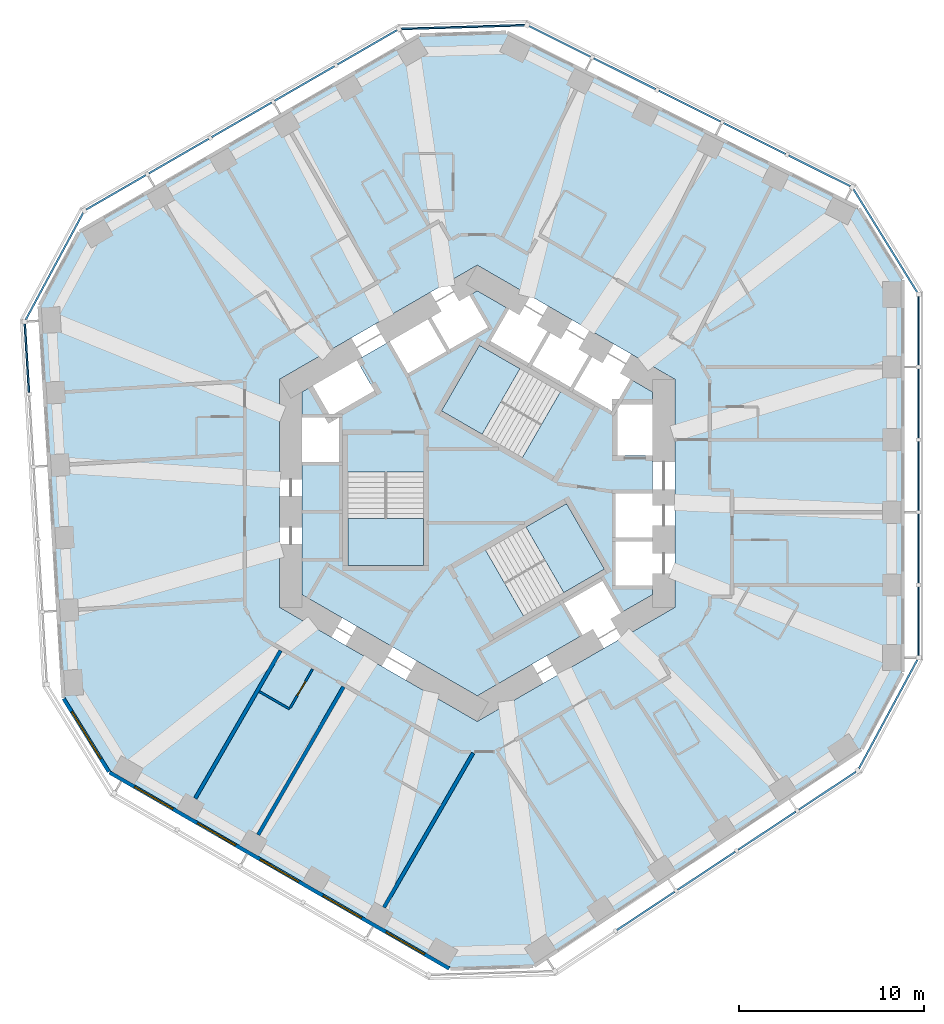
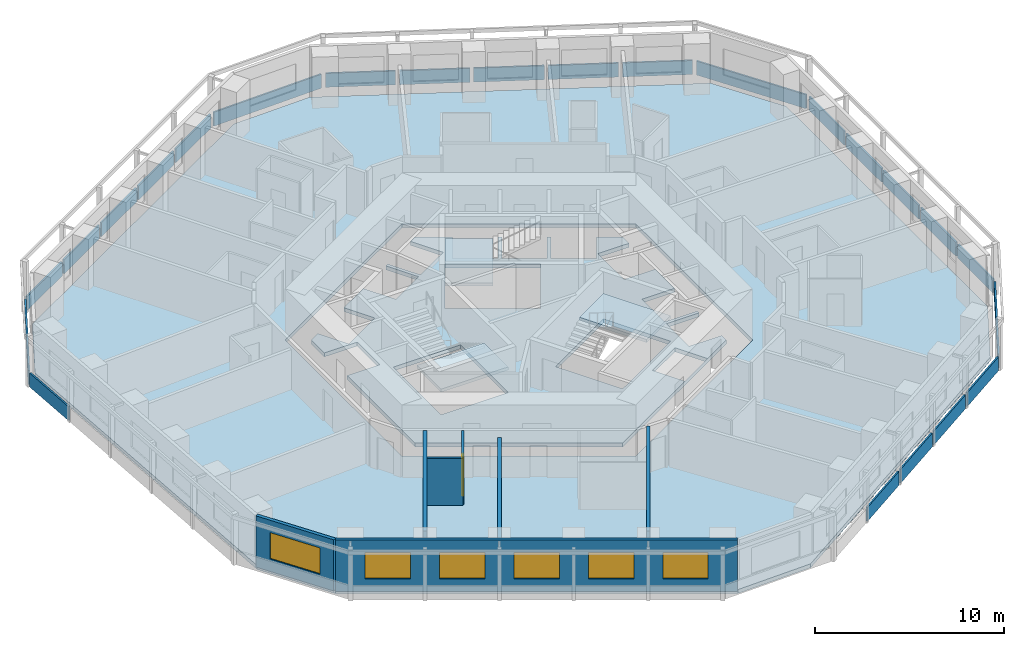
# One storey, part 3 of 12: 24 plates, 7 walls, 6 windows, 5 slabs, 1 door, 7 openings, 12 elements without a shape of their own.
"""IFC4 building model written with IfcOpenShell, lengths in metres."""

from ifc_helpers import new_model, si_unit, direction, frame, frame_2d, origin, origin_2d, place, context, subcontext, project, spatial, polyline, rectangle, outline, extrude, material, layer, layer_set, type_object, element, fill, aggregate, save


model = new_model("IFC4")

# Units and contexts
model_context = context("Model", 3, precision=1e-05, world=origin(), true_north=direction((0.0, 1.0)))
body_context = subcontext(model_context, "Body", "Model", "MODEL_VIEW")
ifc_project = project(units=[si_unit("LENGTHUNIT", "METRE"), si_unit("AREAUNIT", "SQUARE_METRE"), si_unit("VOLUMEUNIT", "CUBIC_METRE"), si_unit("PLANEANGLEUNIT", "RADIAN"), si_unit("MASSUNIT", "GRAM", prefix="KILO")], contexts=[model_context])

# Site, building, storey
site_placement = place(None, origin())
site = spatial("IfcSite", under=ifc_project, at=site_placement, CompositionType="ELEMENT")
building_placement = place(site_placement, origin())
building = spatial("IfcBuilding", under=site, at=building_placement, Name="Vanh Sen Convention Tower", CompositionType="ELEMENT")
storey_placement = place(building_placement, frame((0.0, 0.0, 83.60009765625)))
storey = spatial("IfcBuildingStorey", under=building, at=storey_placement, Name="L18", CompositionType="ELEMENT", Elevation=83.60009765625)

# Slabs
ifc_material_1 = material(Name="Concrete C40/50", Category="concrete")
ifc_layer_1 = layer(ifc_material_1, 0.25)
ifc_layer_set_1 = layer_set([ifc_layer_1], Name="Concrete C40/50")
slab_type_1 = type_object("IfcSlabType", Name="Core slab 250", PredefinedType="FLOOR", material=ifc_layer_set_1)
slab_1_placement = place(storey_placement, frame((0.0, 0.0, -0.25)))
element("IfcSlab", 1, at=slab_1_placement, inside=storey, type_object=slab_type_1, Name="Core slab L18", PredefinedType="FLOOR", context=body_context, shape_type="SweptSolid", body=[
    extrude(outline(polyline([(9.5, 5.48486328125), (9.5, 4.800048828125), (7.60009765625, 4.800048828125), (7.60009765625, 2.050048828125), (9.5, 2.050048828125), (9.5, 0.0), (7.5, 0.0), (7.5, -2.39990234375), (9.5, -2.39990234375), (9.5, -2.60009765625), (7.5, -2.60009765625), (7.5, -5.0), (9.5, -5.0), (9.5, -5.48486328125), (0.0, -10.9697265625), (-9.5, -5.48486328125), (-9.5, 1.699951171875), (-7.5, 1.699951171875), (-7.5, 4.10009765625), (-9.5, 4.10009765625), (-9.5, 5.48486328125), (-8.906982421875, 5.8271484375), (-7.956787109375, 4.181884765625), (-5.575439453125, 5.556884765625), (-6.525390625, 7.2021484375), (-4.75, 8.227294921875), (-3.75, 6.4951171875), (-1.67138671875, 7.6953125), (-2.67138671875, 9.42724609375), (-2.498291015625, 9.527099609375), (-1.498291015625, 7.795166015625), (0.580078125, 8.9951171875), (-0.419921875, 10.727294921875), (0.0, 10.9697265625), (1.718994140625, 9.977294921875), (0.718994140625, 8.2451171875), (2.79736328125, 7.045166015625), (3.79736328125, 8.777099609375), (3.970703125, 8.67724609375), (2.970703125, 6.9453125), (5.049072265625, 5.7451171875), (6.049072265625, 7.477294921875), (6.22216796875, 7.377197265625), (5.22216796875, 5.645263671875), (7.30078125, 4.4453125), (8.30078125, 6.17724609375), (9.5, 5.48486328125)]), holes=[polyline([(-7.0, 3.14990234375), (-7.0, -3.909912109375), (-2.89990234375, -3.909912109375), (-2.89990234375, 3.14990234375), (-2.89990234375, 1.1494140625), (-7.0, 1.1494140625), (-7.0, 3.14990234375)]), polyline([(4.495361328125, 5.487548828125), (6.22802734375, 4.4873046875), (0.11376953125, 8.01708984375), (-1.936279296875, 4.466552734375), (2.4453125, 1.936767578125), (4.495361328125, 5.487548828125)]), polyline([(7.781005859375, -6.477294921875), (6.781005859375, -4.7451171875), (4.70263671875, -5.9453125), (5.70263671875, -7.67724609375), (7.781005859375, -6.477294921875)]), polyline([(0.45458984375, -3.086181640625), (2.504638671875, -6.63671875), (6.88623046875, -4.107177734375), (4.836181640625, -0.556396484375), (-1.278076171875, -4.08642578125), (0.45458984375, -3.086181640625)])]), origin(), (0.0, 0.0, 1.0), 0.25),
])
ifc_layer_2 = layer(ifc_material_1, 0.25)
ifc_layer_set_2 = layer_set([ifc_layer_2], Name="Concrete C40/50")
slab_type_2 = type_object("IfcSlabType", Name="Floor slab 250 REI 120", PredefinedType="FLOOR", material=ifc_layer_set_2)
slab_2_placement = place(storey_placement, frame((0.0, 0.0, -0.25)))
element("IfcSlab", 2, at=slab_2_placement, inside=storey, type_object=slab_type_2, Name="Floor slab L18 tower", PredefinedType="FLOOR", context=body_context, shape_type="SweptSolid", body=[
    extrude(outline(polyline([(23.0, -9.69921875), (23.0, 11.57373046875), (20.620361328125, 15.419189453125), (1.58251953125, 24.911376953125), (-3.10009765625, 24.768310546875), (-21.523193359375, 14.131591796875), (-23.663818359375, 10.14794921875), (-22.364990234375, -11.085205078125), (-19.89990234375, -15.069091796875), (-1.476806640625, -25.705322265625), (3.04345703125, -25.5673828125), (20.78271484375, -13.825927734375), (23.0, -9.69921875)]), holes=[polyline([(0.0, 12.355224609375), (-10.699951171875, 6.177490234375), (-10.699951171875, -6.177490234375), (0.0, -12.355224609375), (10.699951171875, -6.177490234375), (10.699951171875, 6.177490234375), (0.0, 12.355224609375)])]), origin(), (0.0, 0.0, 1.0), 0.25),
])

# Curtain wall, plates
ifc_material_2 = material(Name="Concrete C50/60", Category="concrete")
curtain_wall_type = type_object("IfcCurtainWallType", Name="Outer skin hotel zone", PredefinedType="NOTDEFINED", material=ifc_material_2)
curtain_wall_1_placement = place(storey_placement, origin())
curtain_wall_1 = element("IfcCurtainWall", 3, at=curtain_wall_1_placement, inside=storey, type_object=curtain_wall_type, Name="OUTER SKIN E L18", PredefinedType="NOTDEFINED")
ifc_layer_3 = layer(ifc_material_2, 0.10009765625)
ifc_layer_set_3 = layer_set([ifc_layer_3], Name="Concrete C50/60")
plate_type = type_object("IfcPlateType", Name="Outer skin precast screen panel 100", PredefinedType="CURTAIN_PANEL", material=ifc_layer_set_3)
plate_1_placement = place(storey_placement, frame((23.89990234375, -6.91943359375, 0.0), z_axis=(0.0, 0.0, 1.0), x_axis=(0.0, 1.0, 0.0)))
plate_1 = element("IfcPlate", 4, at=plate_1_placement, type_object=plate_type, Name="OUTER SKIN screen panel E-1", PredefinedType="CURTAIN_PANEL", context=body_context, shape_type="SweptSolid", body=[
    extrude(rectangle(XDim=3.709716796875, YDim=0.10009765625, at=origin_2d()), origin(), (0.0, 0.0, 1.0), 0.89990234375),
])
plate_2_placement = place(storey_placement, frame((23.89990234375, -2.997314453125, 0.0), z_axis=(0.0, 0.0, 1.0), x_axis=(0.0, 1.0, 0.0)))
plate_2 = element("IfcPlate", 5, at=plate_2_placement, type_object=plate_type, Name="OUTER SKIN screen panel E-2", PredefinedType="CURTAIN_PANEL", context=body_context, shape_type="SweptSolid", body=[
    extrude(rectangle(XDim=3.734619140625, YDim=0.10009765625, at=origin_2d()), origin(), (0.0, 0.0, 1.0), 0.89990234375),
])
plate_3_placement = place(storey_placement, frame((23.89990234375, 0.937255859375, 0.0), z_axis=(0.0, 0.0, 1.0), x_axis=(0.0, 1.0, 0.0)))
plate_3 = element("IfcPlate", 6, at=plate_3_placement, type_object=plate_type, Name="OUTER SKIN screen panel E-3", PredefinedType="CURTAIN_PANEL", context=body_context, shape_type="SweptSolid", body=[
    extrude(rectangle(XDim=3.734619140625, YDim=0.10009765625, at=origin_2d()), origin(), (0.0, 0.0, 1.0), 0.89990234375),
])
plate_4_placement = place(storey_placement, frame((23.89990234375, 4.871826171875, 0.0), z_axis=(0.0, 0.0, 1.0), x_axis=(0.0, 1.0, 0.0)))
plate_4 = element("IfcPlate", 7, at=plate_4_placement, type_object=plate_type, Name="OUTER SKIN screen panel E-4", PredefinedType="CURTAIN_PANEL", context=body_context, shape_type="SweptSolid", body=[
    extrude(rectangle(XDim=3.734619140625, YDim=0.10009765625, at=origin_2d()), origin(), (0.0, 0.0, 1.0), 0.89990234375),
])
plate_5_placement = place(storey_placement, frame((23.89990234375, 8.7939453125, 0.0), z_axis=(0.0, 0.0, 1.0), x_axis=(0.0, 1.0, 0.0)))
plate_5 = element("IfcPlate", 8, at=plate_5_placement, type_object=plate_type, Name="OUTER SKIN screen panel E-5", PredefinedType="CURTAIN_PANEL", context=body_context, shape_type="SweptSolid", body=[
    extrude(rectangle(XDim=3.709716796875, YDim=0.10009765625, at=origin_2d()), origin(), (0.0, 0.0, 1.0), 0.89990234375),
])
aggregate(curtain_wall_1, [plate_1, plate_2, plate_3, plate_4, plate_5])

# Curtain wall, plate
curtain_wall_2_placement = place(storey_placement, origin())
curtain_wall_2 = element("IfcCurtainWall", 9, at=curtain_wall_2_placement, inside=storey, type_object=curtain_wall_type, Name="OUTER SKIN CH1 L18", PredefinedType="NOTDEFINED")
plate_6_placement = place(storey_placement, frame((22.102783203125, 13.677734375, 0.0), z_axis=(0.0, 0.0, 1.0), x_axis=(-0.526212439506, 0.850353143411, 0.0)))
plate_6 = element("IfcPlate", 10, at=plate_6_placement, type_object=plate_type, Name="OUTER SKIN screen panel CH1-1", PredefinedType="CURTAIN_PANEL", context=body_context, shape_type="SweptSolid", body=[
    extrude(rectangle(XDim=6.580078125, YDim=0.10009765625, at=origin_2d()), origin(), (0.0, 0.0, 1.0), 0.89990234375),
])
aggregate(curtain_wall_2, [plate_6])

# Curtain wall, plates
curtain_wall_3_placement = place(storey_placement, origin())
curtain_wall_3 = element("IfcCurtainWall", 11, at=curtain_wall_3_placement, inside=storey, type_object=curtain_wall_type, Name="OUTER SKIN NE L18", PredefinedType="NOTDEFINED")
plate_7_placement = place(storey_placement, frame((18.5341796875, 17.465087890625, 0.0), z_axis=(0.0, 0.0, 1.0), x_axis=(-0.894935140363, 0.446196251154, 0.0)))
plate_7 = element("IfcPlate", 12, at=plate_7_placement, type_object=plate_type, Name="OUTER SKIN screen panel NE-1", PredefinedType="CURTAIN_PANEL", context=body_context, shape_type="SweptSolid", body=[
    extrude(rectangle(XDim=3.709716796875, YDim=0.10009765625, at=origin_2d()), origin(), (0.0, 0.0, 1.0), 0.89990234375),
])
plate_8_placement = place(storey_placement, frame((15.024169921875, 19.215087890625, 0.0), z_axis=(0.0, 0.0, 1.0), x_axis=(-0.894935140363, 0.446196251154, 0.0)))
plate_8 = element("IfcPlate", 13, at=plate_8_placement, type_object=plate_type, Name="OUTER SKIN screen panel NE-2", PredefinedType="CURTAIN_PANEL", context=body_context, shape_type="SweptSolid", body=[
    extrude(rectangle(XDim=3.734619140625, YDim=0.10009765625, at=origin_2d()), origin(), (0.0, 0.0, 1.0), 0.89990234375),
])
plate_9_placement = place(storey_placement, frame((11.5029296875, 20.970703125, 0.0), z_axis=(0.0, 0.0, 1.0), x_axis=(-0.894935140363, 0.446196251154, 0.0)))
plate_9 = element("IfcPlate", 14, at=plate_9_placement, type_object=plate_type, Name="OUTER SKIN screen panel NE-3", PredefinedType="CURTAIN_PANEL", context=body_context, shape_type="SweptSolid", body=[
    extrude(rectangle(XDim=3.734619140625, YDim=0.10009765625, at=origin_2d()), origin(), (0.0, 0.0, 1.0), 0.89990234375),
])
plate_10_placement = place(storey_placement, frame((7.981689453125, 22.726318359375, 0.0), z_axis=(0.0, 0.0, 1.0), x_axis=(-0.894935140363, 0.446196251154, 0.0)))
plate_10 = element("IfcPlate", 15, at=plate_10_placement, type_object=plate_type, Name="OUTER SKIN screen panel NE-4", PredefinedType="CURTAIN_PANEL", context=body_context, shape_type="SweptSolid", body=[
    extrude(rectangle(XDim=3.734619140625, YDim=0.10009765625, at=origin_2d()), origin(), (0.0, 0.0, 1.0), 0.89990234375),
])
plate_11_placement = place(storey_placement, frame((4.4716796875, 24.476318359375, 0.0), z_axis=(0.0, 0.0, 1.0), x_axis=(-0.894935140363, 0.446196251154, 0.0)))
plate_11 = element("IfcPlate", 16, at=plate_11_placement, type_object=plate_type, Name="OUTER SKIN screen panel NE-5", PredefinedType="CURTAIN_PANEL", context=body_context, shape_type="SweptSolid", body=[
    extrude(rectangle(XDim=3.709716796875, YDim=0.10009765625, at=origin_2d()), origin(), (0.0, 0.0, 1.0), 0.89990234375),
])
aggregate(curtain_wall_3, [plate_7, plate_8, plate_9, plate_10, plate_11])

# Curtain wall, plate
curtain_wall_4_placement = place(storey_placement, origin())
curtain_wall_4 = element("IfcCurtainWall", 17, at=curtain_wall_4_placement, inside=storey, type_object=curtain_wall_type, Name="OUTER SKIN CH2 L18", PredefinedType="NOTDEFINED")
plate_12_placement = place(storey_placement, frame((-0.771484375, 25.253662109375, 0.0), z_axis=(0.0, 0.0, 1.0), x_axis=(-0.999533644135, -0.030536768695, 0.0)))
plate_12 = element("IfcPlate", 18, at=plate_12_placement, type_object=plate_type, Name="OUTER SKIN screen panel CH2-1", PredefinedType="CURTAIN_PANEL", context=body_context, shape_type="SweptSolid", body=[
    extrude(rectangle(XDim=6.696044921875, YDim=0.10009765625, at=origin_2d()), origin(), (0.0, 0.0, 1.0), 0.89990234375),
])
aggregate(curtain_wall_4, [plate_12])

# Curtain wall, plates
curtain_wall_5_placement = place(storey_placement, origin())
curtain_wall_5 = element("IfcCurtainWall", 19, at=curtain_wall_5_placement, inside=storey, type_object=curtain_wall_type, Name="OUTER SKIN NW L18", PredefinedType="NOTDEFINED")
plate_13_placement = place(storey_placement, frame((-5.95751953125, 24.15771484375, 0.0), z_axis=(0.0, 0.0, 1.0), x_axis=(-0.866028021766, -0.499995465495, 0.0)))
plate_13 = element("IfcPlate", 20, at=plate_13_placement, type_object=plate_type, Name="OUTER SKIN screen panel NW-1", PredefinedType="CURTAIN_PANEL", context=body_context, shape_type="SweptSolid", body=[
    extrude(rectangle(XDim=3.709716796875, YDim=0.10009765625, at=origin_2d()), origin(), (0.0, 0.0, 1.0), 0.89990234375),
])
plate_14_placement = place(storey_placement, frame((-9.354248046875, 22.19677734375, 0.0), z_axis=(0.0, 0.0, 1.0), x_axis=(-0.866021040428, -0.500007557478, 0.0)))
plate_14 = element("IfcPlate", 21, at=plate_14_placement, type_object=plate_type, Name="OUTER SKIN screen panel NW-2", PredefinedType="CURTAIN_PANEL", context=body_context, shape_type="SweptSolid", body=[
    extrude(rectangle(XDim=3.734619140625, YDim=0.10009765625, at=origin_2d()), origin(), (0.0, 0.0, 1.0), 0.89990234375),
])
plate_15_placement = place(storey_placement, frame((-12.76171875, 20.2294921875, 0.0), z_axis=(0.0, 0.0, 1.0), x_axis=(-0.866028021766, -0.499995465495, 0.0)))
plate_15 = element("IfcPlate", 22, at=plate_15_placement, type_object=plate_type, Name="OUTER SKIN screen panel NW-3", PredefinedType="CURTAIN_PANEL", context=body_context, shape_type="SweptSolid", body=[
    extrude(rectangle(XDim=3.734619140625, YDim=0.10009765625, at=origin_2d()), origin(), (0.0, 0.0, 1.0), 0.89990234375),
])
plate_16_placement = place(storey_placement, frame((-16.169189453125, 18.26220703125, 0.0), z_axis=(0.0, 0.0, 1.0), x_axis=(-0.866028021766, -0.499995465495, 0.0)))
plate_16 = element("IfcPlate", 23, at=plate_16_placement, type_object=plate_type, Name="OUTER SKIN screen panel NW-4", PredefinedType="CURTAIN_PANEL", context=body_context, shape_type="SweptSolid", body=[
    extrude(rectangle(XDim=3.734619140625, YDim=0.10009765625, at=origin_2d()), origin(), (0.0, 0.0, 1.0), 0.89990234375),
])
plate_17_placement = place(storey_placement, frame((-19.56591796875, 16.301025390625, 0.0), z_axis=(0.0, 0.0, 1.0), x_axis=(-0.866021040428, -0.500007557478, 0.0)))
plate_17 = element("IfcPlate", 24, at=plate_17_placement, type_object=plate_type, Name="OUTER SKIN screen panel NW-5", PredefinedType="CURTAIN_PANEL", context=body_context, shape_type="SweptSolid", body=[
    extrude(rectangle(XDim=3.70947265625, YDim=0.10009765625, at=origin_2d()), origin(), (0.0, 0.0, 1.0), 0.89990234375),
])
aggregate(curtain_wall_5, [plate_13, plate_14, plate_15, plate_16, plate_17])

# Curtain wall, plate
curtain_wall_6_placement = place(storey_placement, origin())
curtain_wall_6 = element("IfcCurtainWall", 25, at=curtain_wall_6_placement, inside=storey, type_object=curtain_wall_type, Name="OUTER SKIN CH3 L18", PredefinedType="NOTDEFINED")
plate_18_placement = place(storey_placement, frame((-22.896728515625, 12.302978515625, 0.0), z_axis=(0.0, 0.0, 1.0), x_axis=(-0.47331812974, -0.880891564303, 0.0)))
plate_18 = element("IfcPlate", 26, at=plate_18_placement, type_object=plate_type, Name="OUTER SKIN screen panel CH3-1", PredefinedType="CURTAIN_PANEL", context=body_context, shape_type="SweptSolid", body=[
    extrude(rectangle(XDim=6.580078125, YDim=0.10009765625, at=origin_2d()), origin(), (0.0, 0.0, 1.0), 0.89990234375),
])
aggregate(curtain_wall_6, [plate_18])

curtain_wall_7_placement = place(storey_placement, origin())
curtain_wall_7 = element("IfcCurtainWall", 27, at=curtain_wall_7_placement, inside=storey, type_object=curtain_wall_type, Name="OUTER SKIN W L18", PredefinedType="NOTDEFINED")
plate_19_placement = place(storey_placement, frame((-24.39208984375, 7.318603515625, 0.0), z_axis=(0.0, 0.0, 1.0), x_axis=(0.061046797461, -0.99813490497, 0.0)))
plate_19 = element("IfcPlate", 28, at=plate_19_placement, type_object=plate_type, Name="OUTER SKIN screen panel W-1", PredefinedType="CURTAIN_PANEL", context=body_context, shape_type="SweptSolid", body=[
    extrude(rectangle(XDim=3.709716796875, YDim=0.10009765625, at=origin_2d()), origin(), (0.0, 0.0, 1.0), 0.89990234375),
])
aggregate(curtain_wall_7, [plate_19])

# Curtain wall, plates
curtain_wall_8_placement = place(storey_placement, origin())
curtain_wall_8 = element("IfcCurtainWall", 29, at=curtain_wall_8_placement, inside=storey, type_object=curtain_wall_type, Name="OUTER SKIN SE L18", PredefinedType="NOTDEFINED")
plate_20_placement = place(storey_placement, frame((9.128662109375, -22.618896484375, 0.0), z_axis=(0.0, 0.0, 1.0), x_axis=(0.833891601892, 0.55192825285, 0.0)))
plate_20 = element("IfcPlate", 30, at=plate_20_placement, type_object=plate_type, Name="OUTER SKIN screen panel SE-2", PredefinedType="CURTAIN_PANEL", context=body_context, shape_type="SweptSolid", body=[
    extrude(rectangle(XDim=3.734619140625, YDim=0.10009765625, at=origin_2d()), origin(), (0.0, 0.0, 1.0), 0.89990234375),
])
plate_21_placement = place(storey_placement, frame((12.40966796875, -20.447265625, 0.0), z_axis=(0.0, 0.0, 1.0), x_axis=(0.833880042151, 0.551945717714, 0.0)))
plate_21 = element("IfcPlate", 31, at=plate_21_placement, type_object=plate_type, Name="OUTER SKIN screen panel SE-3", PredefinedType="CURTAIN_PANEL", context=body_context, shape_type="SweptSolid", body=[
    extrude(rectangle(XDim=3.734619140625, YDim=0.10009765625, at=origin_2d()), origin(), (0.0, 0.0, 1.0), 0.89990234375),
])
plate_22_placement = place(storey_placement, frame((15.690673828125, -18.275390625, 0.0), z_axis=(0.0, 0.0, 1.0), x_axis=(0.833891601892, 0.55192825285, 0.0)))
plate_22 = element("IfcPlate", 32, at=plate_22_placement, type_object=plate_type, Name="OUTER SKIN screen panel SE-4", PredefinedType="CURTAIN_PANEL", context=body_context, shape_type="SweptSolid", body=[
    extrude(rectangle(XDim=3.734619140625, YDim=0.10009765625, at=origin_2d()), origin(), (0.0, 0.0, 1.0), 0.89990234375),
])
plate_23_placement = place(storey_placement, frame((18.961181640625, -16.11083984375, 0.0), z_axis=(0.0, 0.0, 1.0), x_axis=(0.833880042151, 0.551945717714, 0.0)))
plate_23 = element("IfcPlate", 33, at=plate_23_placement, type_object=plate_type, Name="OUTER SKIN screen panel SE-5", PredefinedType="CURTAIN_PANEL", context=body_context, shape_type="SweptSolid", body=[
    extrude(rectangle(XDim=3.709716796875, YDim=0.10009765625, at=origin_2d()), origin(), (0.0, 0.0, 1.0), 0.89990234375),
])
aggregate(curtain_wall_8, [plate_20, plate_21, plate_22, plate_23])

# Curtain wall, plate
curtain_wall_9_placement = place(storey_placement, origin())
curtain_wall_9 = element("IfcCurtainWall", 34, at=curtain_wall_9_placement, inside=storey, type_object=curtain_wall_type, Name="OUTER SKIN CH6 L18", PredefinedType="NOTDEFINED")
plate_24_placement = place(storey_placement, frame((22.256103515625, -11.95849609375, 0.0), z_axis=(0.0, 0.0, 1.0), x_axis=(0.473322742071, 0.880889086003, 0.0)))
plate_24 = element("IfcPlate", 35, at=plate_24_placement, type_object=plate_type, Name="OUTER SKIN screen panel CH6-1", PredefinedType="CURTAIN_PANEL", context=body_context, shape_type="SweptSolid", body=[
    extrude(rectangle(XDim=6.6962890625, YDim=0.10009765625, at=origin_2d()), origin(), (0.0, 0.0, 1.0), 0.89990234375),
])
aggregate(curtain_wall_9, [plate_24])

# Stair, slab
ifc_material_3 = material(Name="Concrete C50/60", Category="concrete")
stair_type_1 = type_object("IfcStairType", Name="Exit stair ST1 20 risers at 165.0", PredefinedType="HALF_TURN_STAIR", material=ifc_material_3)
stair_1_placement = place(storey_placement, origin())
stair_1 = element("IfcStair", 36, at=stair_1_placement, inside=storey, type_object=stair_type_1, Name="Exit stair ST1 L18", PredefinedType="HALF_TURN_STAIR")
ifc_layer_4 = layer(ifc_material_1, 0.199951171875)
ifc_layer_set_4 = layer_set([ifc_layer_4], Name="Concrete C40/50")
slab_type_3 = type_object("IfcSlabType", Name="Stair landing 200", PredefinedType="LANDING", material=ifc_layer_set_4)
slab_3_placement = place(storey_placement, frame((0.0, 0.0, 1.449951171875)))
slab_3 = element("IfcSlab", 37, at=slab_3_placement, type_object=slab_type_3, Name="ST1 landing 1", PredefinedType="LANDING", context=body_context, shape_type="SweptSolid", body=[
    extrude(outline(polyline([(2.314208984375, 6.746826171875), (0.11376953125, 8.01708984375), (-1.936279296875, 4.466552734375), (0.26416015625, 3.196044921875), (2.314208984375, 6.746826171875)])), origin(), (0.0, 0.0, 1.0), 0.199951171875),
])
aggregate(stair_1, [slab_3])

stair_type_2 = type_object("IfcStairType", Name="Exit stair ST2 20 risers at 165.0", PredefinedType="HALF_TURN_STAIR", material=ifc_material_3)
stair_2_placement = place(storey_placement, origin())
stair_2 = element("IfcStair", 38, at=stair_2_placement, inside=storey, type_object=stair_type_2, Name="Exit stair ST2 L18", PredefinedType="HALF_TURN_STAIR")
slab_4_placement = place(storey_placement, frame((0.0, 0.0, 1.449951171875)))
slab_4 = element("IfcSlab", 39, at=slab_4_placement, type_object=slab_type_3, Name="ST2 landing 1", PredefinedType="LANDING", context=body_context, shape_type="SweptSolid", body=[
    extrude(outline(polyline([(-7.0, -1.369384765625), (-7.0, -3.909912109375), (-2.89990234375, -3.909912109375), (-2.89990234375, -1.369384765625), (-7.0, -1.369384765625)])), origin(), (0.0, 0.0, 1.0), 0.199951171875),
])
aggregate(stair_2, [slab_4])

stair_type_3 = type_object("IfcStairType", Name="Exit stair ST3 20 risers at 165.0", PredefinedType="HALF_TURN_STAIR", material=ifc_material_3)
stair_3_placement = place(storey_placement, origin())
stair_3 = element("IfcStair", 40, at=stair_3_placement, inside=storey, type_object=stair_type_3, Name="Exit stair ST3 L18", PredefinedType="HALF_TURN_STAIR")
slab_5_placement = place(storey_placement, frame((0.0, 0.0, 1.449951171875)))
slab_5 = element("IfcSlab", 41, at=slab_5_placement, type_object=slab_type_3, Name="ST3 landing 1", PredefinedType="LANDING", context=body_context, shape_type="SweptSolid", body=[
    extrude(outline(polyline([(4.685791015625, -5.37744140625), (6.88623046875, -4.107177734375), (4.836181640625, -0.556396484375), (2.6357421875, -1.826904296875), (4.685791015625, -5.37744140625)])), origin(), (0.0, 0.0, 1.0), 0.199951171875),
])
aggregate(stair_3, [slab_5])

# Wall
ifc_material_4 = material(Name="Moisture-resistant gypsum board on steel studs", Category="steel")
ifc_layer_5 = layer(ifc_material_4, 0.1201171875)
ifc_layer_set_5 = layer_set([ifc_layer_5], Name="Moisture-resistant gypsum board on steel studs")
wall_type_1 = type_object("IfcWallType", Name="Bathroom partition 120", PredefinedType="PARTITIONING", material=ifc_layer_set_5)
wall_1_placement = place(storey_placement, frame((-10.16748046875, -11.68115234375, 0.0), z_axis=(0.0, 0.0, 1.0), x_axis=(-0.866044365799, 0.499967155389, 0.0)))
element("IfcWall", 42, at=wall_1_placement, inside=storey, type_object=wall_type_1, Name="Bathroom partition 120", PredefinedType="PARTITIONING", context=body_context, shape_type="SweptSolid", body=[
    extrude(rectangle(XDim=1.900146484375, YDim=0.1201171875, at=frame_2d((0.9501953125, 0.0))), origin(), (0.0, 0.0, 1.0), 3.0498046875),
])

# Wall, opening, door
wall_2_placement = place(storey_placement, frame((-8.91748046875, -9.51611328125, 0.0), z_axis=(0.0, 0.0, 1.0), x_axis=(-0.500002508028, -0.866023955769, 0.0)))
wall_2 = element("IfcWall", 43, at=wall_2_placement, inside=storey, type_object=wall_type_1, Name="Bathroom partition 120", PredefinedType="PARTITIONING", context=body_context, shape_type="SweptSolid", body=[
    extrude(rectangle(XDim=2.43994140625, YDim=0.1201171875, at=frame_2d((1.219970703125, 0.0))), origin(), (0.0, 0.0, 1.0), 3.0498046875),
])
opening_1_placement = place(wall_2_placement, frame((0.77001953125, 0.0, 0.0)))
opening_1 = element("IfcOpeningElement", 44, at=opening_1_placement, cuts=wall_2, Name="Opening D16126", PredefinedType="OPENING", context=body_context, shape_type="SweptSolid", body=[
    extrude(rectangle(XDim=0.89990234375, YDim=2.10009765625, at=frame_2d((0.449951171875, 1.050048828125))), frame((0.0, 0.070068359375, 0.0), z_axis=(0.0, -1.0, 0.0), x_axis=(1.0, 0.0, 0.0)), (0.0, 0.0, 1.0), 0.14013671875),
])
ifc_material_5 = material(Name="Laminate door in steel frame", Category="steel")
door_type = type_object("IfcDoorType", Name="En-suite door 900", OperationType="SINGLE_SWING_LEFT", PredefinedType="DOOR", material=ifc_material_5)
door_placement = place(opening_1_placement, origin())
door = element("IfcDoor", 45, at=door_placement, inside=storey, type_object=door_type, Name="En-suite door D16126", OperationType="SINGLE_SWING_LEFT", OverallHeight=2.10009765625, OverallWidth=0.89990234375, PredefinedType="DOOR", context=body_context, shape_type="SweptSolid", body=[
    extrude(rectangle(XDim=0.89990234375, YDim=2.10009765625, at=frame_2d((0.449951171875, 1.050048828125))), frame((0.0, 0.02490234375, 0.0), z_axis=(0.0, -1.0, 0.0), x_axis=(1.0, 0.0, 0.0)), (0.0, 0.0, 1.0), 0.050048828125),
])
fill(opening_1, door)

# Wall, opening, window
ifc_material_6 = material(Name="Insulated lightweight infill wall")
ifc_layer_6 = layer(ifc_material_6, 0.199951171875)
ifc_layer_set_6 = layer_set([ifc_layer_6], Name="Insulated lightweight infill wall")
wall_type_2 = type_object("IfcWallType", Name="External wall 200", PredefinedType="STANDARD", material=ifc_layer_set_6)
wall_3_placement = place(storey_placement, frame((-22.40087890625, -11.122314453125, 0.0), z_axis=(0.0, 0.0, 1.0), x_axis=(0.526197679914, -0.850362276711, 0.0)))
wall_3 = element("IfcWall", 46, at=wall_3_placement, inside=storey, type_object=wall_type_2, Name="External wall CH4 L18", PredefinedType="STANDARD", context=body_context, shape_type="SweptSolid", body=[
    extrude(rectangle(XDim=4.65966796875, YDim=0.199951171875, at=frame_2d((2.329833984375, 0.0))), origin(), (0.0, 0.0, 1.0), 3.2998046875),
])
opening_2_placement = place(wall_3_placement, frame((0.829833984375, 0.0, 0.800048828125)))
opening_2 = element("IfcOpeningElement", 47, at=opening_2_placement, cuts=wall_3, Name="Opening WH2-CH41", PredefinedType="OPENING", context=body_context, shape_type="SweptSolid", body=[
    extrude(rectangle(XDim=3.0, YDim=1.699951171875, at=frame_2d((1.5, 0.85009765625))), frame((0.0, 0.10986328125, 0.0), z_axis=(0.0, -1.0, 0.0), x_axis=(1.0, 0.0, 0.0)), (0.0, 0.0, 1.0), 0.219970703125),
])
ifc_material_7 = material(Name="Aluminium frame with clear low-emissivity glass", Category="aluminium")
window_type_1 = type_object("IfcWindowType", Name="Hotel window 3000 x 1700", PartitioningType="SINGLE_PANEL", PredefinedType="WINDOW", material=ifc_material_7)
window_1_placement = place(opening_2_placement, origin())
window_1 = element("IfcWindow", 48, at=window_1_placement, inside=storey, type_object=window_type_1, Name="Window WH2-CH41", OverallHeight=1.699951171875, OverallWidth=3.0, PartitioningType="SINGLE_PANEL", PredefinedType="WINDOW", context=body_context, shape_type="SweptSolid", body=[
    extrude(rectangle(XDim=3.0, YDim=1.699951171875, at=frame_2d((1.5, 0.85009765625))), frame((0.0, 0.030029296875, 0.0), z_axis=(0.0, -1.0, 0.0), x_axis=(1.0, 0.0, 0.0)), (0.0, 0.0, 1.0), 0.06005859375),
])
fill(opening_2, window_1)

# Wall, openings, windows
wall_4_placement = place(storey_placement, frame((-19.913818359375, -15.11865234375, 0.0), z_axis=(0.0, 0.0, 1.0), x_axis=(0.866025418898, -0.499999973822, 0.0)))
wall_4 = element("IfcWall", 49, at=wall_4_placement, inside=storey, type_object=wall_type_2, Name="External wall SW L18", PredefinedType="STANDARD", context=body_context, shape_type="SweptSolid", body=[
    extrude(rectangle(XDim=21.24609375, YDim=0.199951171875, at=frame_2d((10.623046875, 0.0))), origin(), (0.0, 0.0, 1.0), 3.2998046875),
])
opening_3_placement = place(wall_4_placement, frame((1.5546875, 0.0, 0.800048828125)))
opening_3 = element("IfcOpeningElement", 50, at=opening_3_placement, cuts=wall_4, Name="Opening WH1-SW1", PredefinedType="OPENING", context=body_context, shape_type="SweptSolid", body=[
    extrude(rectangle(XDim=2.39990234375, YDim=1.699951171875, at=frame_2d((1.199951171875, 0.85009765625))), frame((0.0, 0.10986328125, 0.0), z_axis=(0.0, -1.0, 0.0), x_axis=(1.0, 0.0, 0.0)), (0.0, 0.0, 1.0), 0.219970703125),
])
opening_4_placement = place(wall_4_placement, frame((5.4892578125, 0.0, 0.800048828125)))
opening_4 = element("IfcOpeningElement", 51, at=opening_4_placement, cuts=wall_4, Name="Opening WH1-SW2", PredefinedType="OPENING", context=body_context, shape_type="SweptSolid", body=[
    extrude(rectangle(XDim=2.39990234375, YDim=1.699951171875, at=frame_2d((1.199951171875, 0.85009765625))), frame((0.0, 0.10986328125, 0.0), z_axis=(0.0, -1.0, 0.0), x_axis=(1.0, 0.0, 0.0)), (0.0, 0.0, 1.0), 0.219970703125),
])
opening_5_placement = place(wall_4_placement, frame((9.423828125, 0.0, 0.800048828125)))
opening_5 = element("IfcOpeningElement", 52, at=opening_5_placement, cuts=wall_4, Name="Opening WH1-SW3", PredefinedType="OPENING", context=body_context, shape_type="SweptSolid", body=[
    extrude(rectangle(XDim=2.39990234375, YDim=1.699951171875, at=frame_2d((1.199951171875, 0.85009765625))), frame((0.0, 0.10986328125, 0.0), z_axis=(0.0, -1.0, 0.0), x_axis=(1.0, 0.0, 0.0)), (0.0, 0.0, 1.0), 0.219970703125),
])
opening_6_placement = place(wall_4_placement, frame((13.3583984375, 0.0, 0.800048828125)))
opening_6 = element("IfcOpeningElement", 53, at=opening_6_placement, cuts=wall_4, Name="Opening WH1-SW4", PredefinedType="OPENING", context=body_context, shape_type="SweptSolid", body=[
    extrude(rectangle(XDim=2.39990234375, YDim=1.699951171875, at=frame_2d((1.199951171875, 0.85009765625))), frame((0.0, 0.10986328125, 0.0), z_axis=(0.0, -1.0, 0.0), x_axis=(1.0, 0.0, 0.0)), (0.0, 0.0, 1.0), 0.219970703125),
])
opening_7_placement = place(wall_4_placement, frame((17.293212890625, 0.0, 0.800048828125)))
opening_7 = element("IfcOpeningElement", 54, at=opening_7_placement, cuts=wall_4, Name="Opening WH1-SW5", PredefinedType="OPENING", context=body_context, shape_type="SweptSolid", body=[
    extrude(rectangle(XDim=2.39990234375, YDim=1.699951171875, at=frame_2d((1.199951171875, 0.85009765625))), frame((0.0, 0.10986328125, 0.0), z_axis=(0.0, -1.0, 0.0), x_axis=(1.0, 0.0, 0.0)), (0.0, 0.0, 1.0), 0.219970703125),
])
window_type_2 = type_object("IfcWindowType", Name="Hotel window 2400 x 1700", PartitioningType="SINGLE_PANEL", PredefinedType="WINDOW", material=ifc_material_7)
window_2_placement = place(opening_3_placement, origin())
window_2 = element("IfcWindow", 55, at=window_2_placement, inside=storey, type_object=window_type_2, Name="Window WH1-SW1", OverallHeight=1.699951171875, OverallWidth=2.39990234375, PartitioningType="SINGLE_PANEL", PredefinedType="WINDOW", context=body_context, shape_type="SweptSolid", body=[
    extrude(rectangle(XDim=2.39990234375, YDim=1.699951171875, at=frame_2d((1.199951171875, 0.85009765625))), frame((0.0, 0.030029296875, 0.0), z_axis=(0.0, -1.0, 0.0), x_axis=(1.0, 0.0, 0.0)), (0.0, 0.0, 1.0), 0.06005859375),
])
fill(opening_3, window_2)
window_3_placement = place(opening_4_placement, origin())
window_3 = element("IfcWindow", 56, at=window_3_placement, inside=storey, type_object=window_type_2, Name="Window WH1-SW2", OverallHeight=1.699951171875, OverallWidth=2.39990234375, PartitioningType="SINGLE_PANEL", PredefinedType="WINDOW", context=body_context, shape_type="SweptSolid", body=[
    extrude(rectangle(XDim=2.39990234375, YDim=1.699951171875, at=frame_2d((1.199951171875, 0.85009765625))), frame((0.0, 0.030029296875, 0.0), z_axis=(0.0, -1.0, 0.0), x_axis=(1.0, 0.0, 0.0)), (0.0, 0.0, 1.0), 0.06005859375),
])
fill(opening_4, window_3)
window_4_placement = place(opening_5_placement, origin())
window_4 = element("IfcWindow", 57, at=window_4_placement, inside=storey, type_object=window_type_2, Name="Window WH1-SW3", OverallHeight=1.699951171875, OverallWidth=2.39990234375, PartitioningType="SINGLE_PANEL", PredefinedType="WINDOW", context=body_context, shape_type="SweptSolid", body=[
    extrude(rectangle(XDim=2.39990234375, YDim=1.699951171875, at=frame_2d((1.199951171875, 0.85009765625))), frame((0.0, 0.030029296875, 0.0), z_axis=(0.0, -1.0, 0.0), x_axis=(1.0, 0.0, 0.0)), (0.0, 0.0, 1.0), 0.06005859375),
])
fill(opening_5, window_4)
window_5_placement = place(opening_6_placement, origin())
window_5 = element("IfcWindow", 58, at=window_5_placement, inside=storey, type_object=window_type_2, Name="Window WH1-SW4", OverallHeight=1.699951171875, OverallWidth=2.39990234375, PartitioningType="SINGLE_PANEL", PredefinedType="WINDOW", context=body_context, shape_type="SweptSolid", body=[
    extrude(rectangle(XDim=2.39990234375, YDim=1.699951171875, at=frame_2d((1.199951171875, 0.85009765625))), frame((0.0, 0.030029296875, 0.0), z_axis=(0.0, -1.0, 0.0), x_axis=(1.0, 0.0, 0.0)), (0.0, 0.0, 1.0), 0.06005859375),
])
fill(opening_6, window_5)
window_6_placement = place(opening_7_placement, origin())
window_6 = element("IfcWindow", 59, at=window_6_placement, inside=storey, type_object=window_type_2, Name="Window WH1-SW5", OverallHeight=1.699951171875, OverallWidth=2.39990234375, PartitioningType="SINGLE_PANEL", PredefinedType="WINDOW", context=body_context, shape_type="SweptSolid", body=[
    extrude(rectangle(XDim=2.39990234375, YDim=1.699951171875, at=frame_2d((1.199951171875, 0.85009765625))), frame((0.0, 0.030029296875, 0.0), z_axis=(0.0, -1.0, 0.0), x_axis=(1.0, 0.0, 0.0)), (0.0, 0.0, 1.0), 0.06005859375),
])
fill(opening_7, window_6)

# Walls
ifc_material_8 = material(Name="Gypsum board on steel studs with mineral wool", Category="steel")
ifc_layer_7 = layer(ifc_material_8, 0.199951171875)
ifc_layer_set_7 = layer_set([ifc_layer_7], Name="Gypsum board on steel studs with mineral wool")
wall_type_3 = type_object("IfcWallType", Name="Hotel party wall 200", PredefinedType="PARTITIONING", material=ifc_layer_set_7)
wall_5_placement = place(storey_placement, frame((-15.2744140625, -16.527099609375, 0.0), z_axis=(0.0, 0.0, 1.0), x_axis=(0.49998823431, 0.866032196602, 0.0)))
element("IfcWall", 60, at=wall_5_placement, inside=storey, type_object=wall_type_3, Name="Hotel party wall 200", PredefinedType="PARTITIONING", context=body_context, shape_type="SweptSolid", body=[
    extrude(rectangle(XDim=9.250244140625, YDim=0.199951171875, at=frame_2d((4.625, 0.0))), origin(), (0.0, 0.0, 1.0), 3.0498046875),
])
wall_6_placement = place(storey_placement, frame((-11.8671875, -18.494140625, 0.0), z_axis=(0.0, 0.0, 1.0), x_axis=(0.499999662836, 0.866025598446, 0.0)))
element("IfcWall", 61, at=wall_6_placement, inside=storey, type_object=wall_type_3, Name="Hotel party wall 200", PredefinedType="PARTITIONING", context=body_context, shape_type="SweptSolid", body=[
    extrude(rectangle(XDim=9.25, YDim=0.199951171875, at=frame_2d((4.625, 0.0))), origin(), (0.0, 0.0, 1.0), 2.599853515625),
])
wall_7_placement = place(storey_placement, frame((-5.052001953125, -22.4287109375, 0.0), z_axis=(0.0, 0.0, 1.0), x_axis=(0.50000569793, 0.866022114058, 0.0)))
element("IfcWall", 62, at=wall_7_placement, inside=storey, type_object=wall_type_3, Name="Hotel party wall 200", PredefinedType="PARTITIONING", context=body_context, shape_type="SweptSolid", body=[
    extrude(rectangle(XDim=9.64990234375, YDim=0.199951171875, at=frame_2d((4.824951171875, 0.0))), origin(), (0.0, 0.0, 1.0), 3.0498046875),
])

save(model, "model.ifc")
